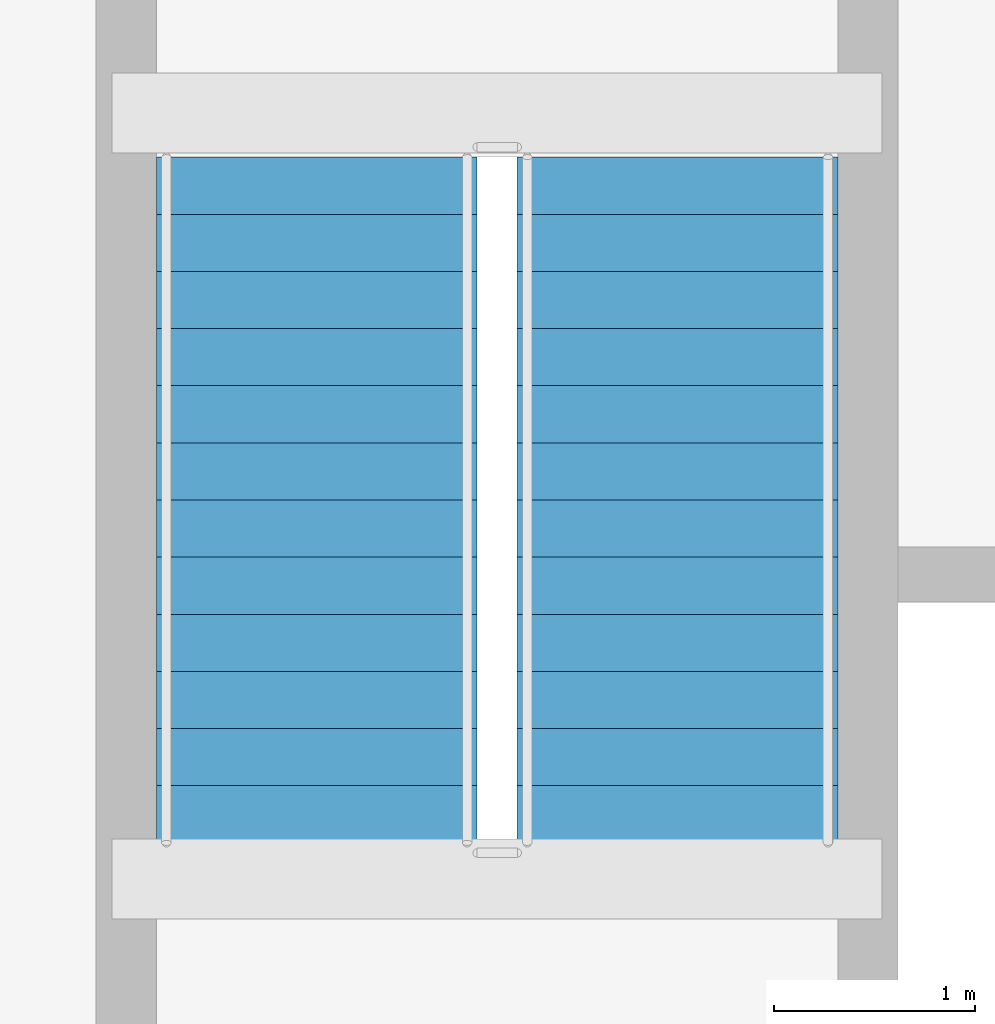
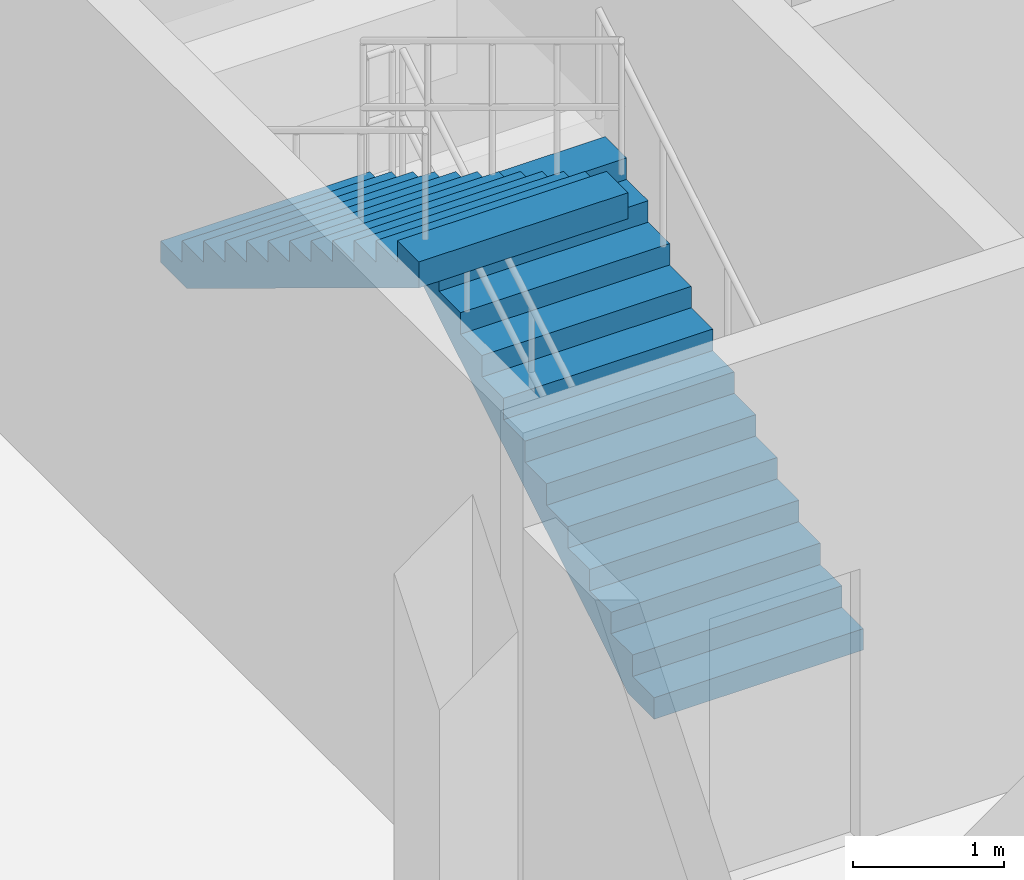
# One storey, part 21 of 34: 2 stair flights, 1 element without a shape of its own.
"""IFC4 building model written with IfcOpenShell, lengths in metres."""

from ifc_helpers import new_model, si_unit, direction, frame, origin, place, context, subcontext, project, spatial, polyline, outline, extrude, material, type_object, element, aggregate, save


model = new_model("IFC4")

# Units and contexts
model_context = context("Model", 3, precision=1e-05, world=origin(), true_north=direction((0.0, 1.0)))
body_context = subcontext(model_context, "Body", "Model", "MODEL_VIEW")
ifc_project = project(units=[si_unit("LENGTHUNIT", "METRE"), si_unit("AREAUNIT", "SQUARE_METRE"), si_unit("VOLUMEUNIT", "CUBIC_METRE"), si_unit("PLANEANGLEUNIT", "RADIAN"), si_unit("MASSUNIT", "GRAM", prefix="KILO")], contexts=[model_context])

# Site, building, storey
site_placement = place(None, origin())
site = spatial("IfcSite", under=ifc_project, at=site_placement, CompositionType="ELEMENT")
building_placement = place(site_placement, origin())
building = spatial("IfcBuilding", under=site, at=building_placement, Name="Khurvash Pelagic Aquarium", CompositionType="ELEMENT")
storey_placement = place(building_placement, frame((0.0, 0.0, 15.60009765625)))
storey = spatial("IfcBuildingStorey", under=building, at=storey_placement, Name="L03", CompositionType="ELEMENT", Elevation=15.60009765625)

# Stair, stair flights
ifc_material = material(Name="Concrete C35/45", Category="concrete")
stair_type = type_object("IfcStairType", Name="ST-04", PredefinedType="HALF_TURN_STAIR", material=ifc_material)
stair_placement = place(storey_placement, origin())
stair = element("IfcStair", 1, at=stair_placement, inside=storey, type_object=stair_type, Name="L03 Protected Exit Stair ST-04", PredefinedType="HALF_TURN_STAIR")
stair_flight_type = type_object("IfcStairFlightType", Name="SF-150", PredefinedType="STRAIGHT", material=ifc_material)
stair_flight_1_placement = place(storey_placement, frame((70.89990234375, 95.5, 0.0), z_axis=(0.0, 0.0, 1.0), x_axis=(0.0, 1.0, 0.0)))
stair_flight_1 = element("IfcStairFlight", 2, at=stair_flight_1_placement, type_object=stair_flight_type, Name="ST-04 flight 1", NumberOfRisers=13, NumberOfTreads=12, PredefinedType="STRAIGHT", RiserHeight=0.173076923, TreadLength=0.285, context=body_context, shape_type="SweptSolid", body=[
    extrude(outline(polyline([(0.0, 0.0), (0.0, 0.173095703125), (0.284912109375, 0.173095703125), (0.284912109375, 0.34619140625), (0.570068359375, 0.34619140625), (0.570068359375, 0.519287109375), (0.85498046875, 0.519287109375), (0.85498046875, 0.6923828125), (1.139892578125, 0.6923828125), (1.139892578125, 0.865478515625), (1.425048828125, 0.865478515625), (1.425048828125, 1.03857421875), (1.7099609375, 1.03857421875), (1.7099609375, 1.21142578125), (1.9951171875, 1.21142578125), (1.9951171875, 1.384521484375), (2.280029296875, 1.384521484375), (2.280029296875, 1.5576171875), (2.56494140625, 1.5576171875), (2.56494140625, 1.730712890625), (2.85009765625, 1.730712890625), (2.85009765625, 1.90380859375), (3.135009765625, 1.90380859375), (3.135009765625, 2.076904296875), (3.419921875, 2.076904296875), (3.419921875, 2.25), (3.419921875, 1.866455078125), (0.3466796875, 0.0), (0.0, 0.0)])), frame((0.0, 0.800048828125, 0.0), z_axis=(0.0, -1.0, 0.0), x_axis=(1.0, 0.0, 0.0)), (0.0, 0.0, 1.0), 1.60009765625),
])
stair_flight_2_placement = place(storey_placement, frame((69.10009765625, 98.919921875, 2.25), z_axis=(0.0, 0.0, 1.0), x_axis=(0.0, -1.0, 0.0)))
stair_flight_2 = element("IfcStairFlight", 3, at=stair_flight_2_placement, type_object=stair_flight_type, Name="ST-04 flight 2", NumberOfRisers=13, NumberOfTreads=12, PredefinedType="STRAIGHT", RiserHeight=0.173076923, TreadLength=0.285, context=body_context, shape_type="SweptSolid", body=[
    extrude(outline(polyline([(0.0, 0.0), (0.0, 0.173095703125), (0.284912109375, 0.173095703125), (0.284912109375, 0.34619140625), (0.570068359375, 0.34619140625), (0.570068359375, 0.519287109375), (0.85498046875, 0.519287109375), (0.85498046875, 0.6923828125), (1.139892578125, 0.6923828125), (1.139892578125, 0.865478515625), (1.425048828125, 0.865478515625), (1.425048828125, 1.03857421875), (1.7099609375, 1.03857421875), (1.7099609375, 1.21142578125), (1.9951171875, 1.21142578125), (1.9951171875, 1.384521484375), (2.280029296875, 1.384521484375), (2.280029296875, 1.5576171875), (2.56494140625, 1.5576171875), (2.56494140625, 1.730712890625), (2.85009765625, 1.730712890625), (2.85009765625, 1.90380859375), (3.135009765625, 1.90380859375), (3.135009765625, 2.076904296875), (3.419921875, 2.076904296875), (3.419921875, 2.25), (3.419921875, 1.866455078125), (0.3466796875, 0.0), (0.0, 0.0)])), frame((0.0, 0.800048828125, 0.0), z_axis=(0.0, -1.0, 0.0), x_axis=(1.0, 0.0, 0.0)), (0.0, 0.0, 1.0), 1.60009765625),
])
aggregate(stair, [stair_flight_1, stair_flight_2])

save(model, "model.ifc")
